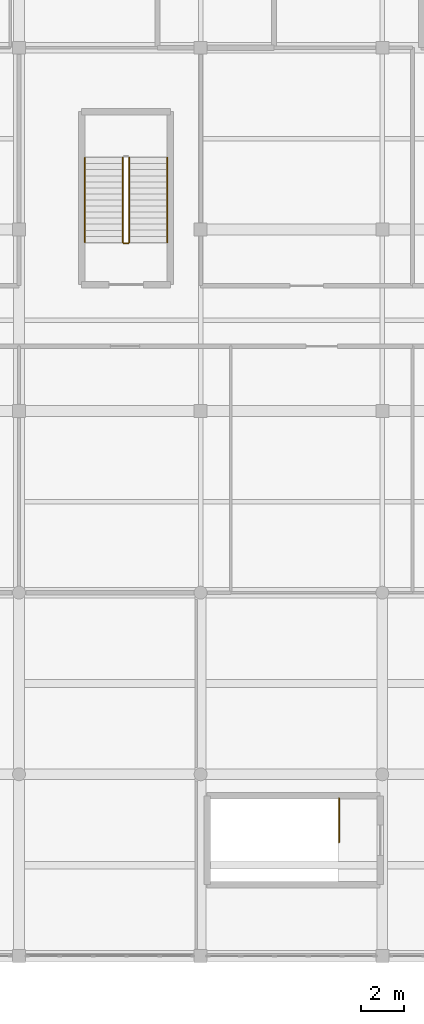
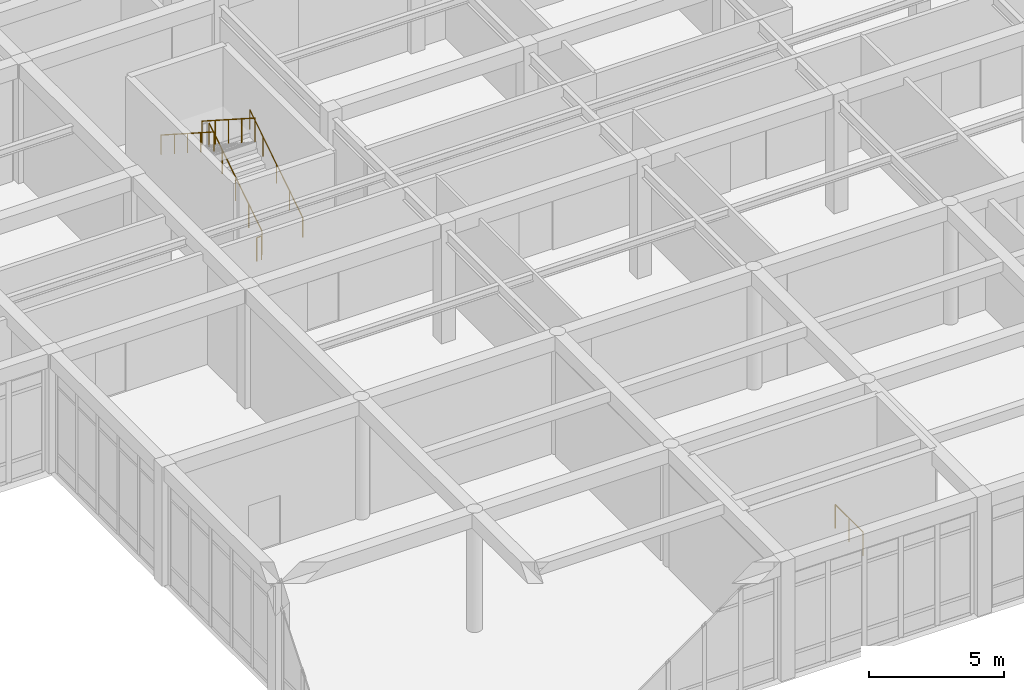
# One storey, part 79 of 89: 6 railings.
"""IFC4 building model written with IfcOpenShell, lengths in metres."""

from ifc_helpers import new_model, si_unit, direction, frame, origin, origin_2d, place, context, subcontext, project, spatial, circle, extrude, material, type_object, element, save


model = new_model("IFC4")

# Units and contexts
model_context = context("Model", 3, precision=1e-05, world=origin(), true_north=direction((0.0, 1.0)))
body_context = subcontext(model_context, "Body", "Model", "MODEL_VIEW")
ifc_project = project(units=[si_unit("LENGTHUNIT", "METRE"), si_unit("AREAUNIT", "SQUARE_METRE"), si_unit("VOLUMEUNIT", "CUBIC_METRE"), si_unit("PLANEANGLEUNIT", "RADIAN"), si_unit("MASSUNIT", "GRAM", prefix="KILO")], contexts=[model_context])

# Site, building, storey
site_placement = place(None, origin())
site = spatial("IfcSite", under=ifc_project, at=site_placement, CompositionType="ELEMENT")
building_placement = place(site_placement, origin())
building = spatial("IfcBuilding", under=site, at=building_placement, Name="Varncliffe General Hospital", CompositionType="ELEMENT")
storey_placement = place(building_placement, frame((0.0, 0.0, 10.800048828125)))
storey = spatial("IfcBuildingStorey", under=building, at=storey_placement, Name="L02", CompositionType="ELEMENT", Elevation=10.800048828125)

# Railings
ifc_material = material(Name="Powder-coated hospital steel guardrail and handrail", Category="steel")
railing_type_1 = type_object("IfcRailingType", Name="Stair and Ramp Handrail HR46", PredefinedType="HANDRAIL", material=ifc_material)
railing_1_placement = place(storey_placement, frame((74.050048828125, 90.60009765625, 0.364013671875)))
element("IfcRailing", 1, at=railing_1_placement, inside=storey, type_object=railing_type_1, Name="L02 ST12 stair handrail 1", PredefinedType="HANDRAIL", context=body_context, shape_type="SweptSolid", body=[
    extrude(circle(Radius=0.02392578125, at=origin_2d()), frame((0.0, 0.0, 0.8759765625), z_axis=(0.0, 0.841171666519, 0.540768182723), x_axis=(-1.0, 0.0, 0.0)), (0.0, 0.0, 1.0), 4.66015625),
    extrude(circle(Radius=0.02099609375, at=origin_2d()), origin(), (0.0, 0.0, 1.0), 0.851806640625),
    extrude(circle(Radius=0.02099609375, at=origin_2d()), frame((0.0, 0.97998046875, 0.6298828125)), (0.0, 0.0, 1.0), 0.851806640625),
    extrude(circle(Radius=0.02099609375, at=origin_2d()), frame((0.0, 1.9599609375, 1.260009765625)), (0.0, 0.0, 1.0), 0.851806640625),
    extrude(circle(Radius=0.02099609375, at=origin_2d()), frame((0.0, 2.93994140625, 1.89013671875)), (0.0, 0.0, 1.0), 0.851806640625),
    extrude(circle(Radius=0.02099609375, at=origin_2d()), frame((0.0, 3.919921875, 2.52001953125)), (0.0, 0.0, 1.0), 0.851806640625),
])
railing_2_placement = place(storey_placement, frame((70.25, 94.52001953125, 3.06396484375)))
element("IfcRailing", 2, at=railing_2_placement, inside=storey, type_object=railing_type_1, Name="L02 ST12 stair handrail 2", PredefinedType="HANDRAIL", context=body_context, shape_type="SweptSolid", body=[
    extrude(circle(Radius=0.02392578125, at=origin_2d()), frame((0.0, 0.0, 0.8759765625), z_axis=(0.0, -0.841171666519, 0.540768182723), x_axis=(1.0, 0.0, 0.0)), (0.0, 0.0, 1.0), 4.66015625),
    extrude(circle(Radius=0.02099609375, at=origin_2d()), origin(), (0.0, 0.0, 1.0), 0.851806640625),
    extrude(circle(Radius=0.02099609375, at=origin_2d()), frame((0.0, -0.97998046875, 0.6298828125)), (0.0, 0.0, 1.0), 0.851806640625),
    extrude(circle(Radius=0.02099609375, at=origin_2d()), frame((0.0, -1.9599609375, 1.260009765625)), (0.0, 0.0, 1.0), 0.851806640625),
    extrude(circle(Radius=0.02099609375, at=origin_2d()), frame((0.0, -2.93994140625, 1.89013671875)), (0.0, 0.0, 1.0), 0.851806640625),
    extrude(circle(Radius=0.02099609375, at=origin_2d()), frame((0.0, -3.919921875, 2.52001953125)), (0.0, 0.0, 1.0), 0.851806640625),
])
railing_type_2 = type_object("IfcRailingType", Name="Stairwell Guardrail SG49", PredefinedType="GUARDRAIL", material=ifc_material)
railing_3_placement = place(storey_placement, frame((72.300048828125, 90.60009765625, 0.179931640625)))
element("IfcRailing", 3, at=railing_3_placement, inside=storey, type_object=railing_type_2, Name="L02 ST12 stair guard 1", PredefinedType="GUARDRAIL", context=body_context, shape_type="SweptSolid", body=[
    extrude(circle(Radius=0.02392578125, at=origin_2d()), frame((0.0, 0.0, 1.076171875), z_axis=(0.0, 0.841171666519, 0.540768182723), x_axis=(-1.0, 0.0, 0.0)), (0.0, 0.0, 1.0), 4.66015625),
    extrude(circle(Radius=0.02099609375, at=origin_2d()), origin(), (0.0, 0.0, 1.0), 1.052001953125),
    extrude(circle(Radius=0.02099609375, at=origin_2d()), frame((0.0, 0.97998046875, 0.6298828125)), (0.0, 0.0, 1.0), 1.052001953125),
    extrude(circle(Radius=0.02099609375, at=origin_2d()), frame((0.0, 1.9599609375, 1.260009765625)), (0.0, 0.0, 1.0), 1.052001953125),
    extrude(circle(Radius=0.02099609375, at=origin_2d()), frame((0.0, 2.93994140625, 1.89013671875)), (0.0, 0.0, 1.0), 1.052001953125),
    extrude(circle(Radius=0.02099609375, at=origin_2d()), frame((0.0, 3.919921875, 2.52001953125)), (0.0, 0.0, 1.0), 1.052001953125),
])
railing_4_placement = place(storey_placement, frame((72.0, 94.52001953125, 2.8798828125)))
element("IfcRailing", 4, at=railing_4_placement, inside=storey, type_object=railing_type_2, Name="L02 ST12 stair guard 3", PredefinedType="GUARDRAIL", context=body_context, shape_type="SweptSolid", body=[
    extrude(circle(Radius=0.02392578125, at=origin_2d()), frame((0.0, 0.0, 1.076171875), z_axis=(0.0, -0.841171666519, 0.540768182723), x_axis=(1.0, 0.0, 0.0)), (0.0, 0.0, 1.0), 4.66015625),
    extrude(circle(Radius=0.02099609375, at=origin_2d()), origin(), (0.0, 0.0, 1.0), 1.052001953125),
    extrude(circle(Radius=0.02099609375, at=origin_2d()), frame((0.0, -0.97998046875, 0.6298828125)), (0.0, 0.0, 1.0), 1.052001953125),
    extrude(circle(Radius=0.02099609375, at=origin_2d()), frame((0.0, -1.9599609375, 1.260009765625)), (0.0, 0.0, 1.0), 1.052001953125),
    extrude(circle(Radius=0.02099609375, at=origin_2d()), frame((0.0, -2.93994140625, 1.89013671875)), (0.0, 0.0, 1.0), 1.052001953125),
    extrude(circle(Radius=0.02099609375, at=origin_2d()), frame((0.0, -3.919921875, 2.52001953125)), (0.0, 0.0, 1.0), 1.052001953125),
])
railing_5_placement = place(storey_placement, frame((72.25, 90.550048828125, 0.0)))
element("IfcRailing", 5, at=railing_5_placement, inside=storey, type_object=railing_type_2, Name="L02 ST12 stair guard 4", PredefinedType="GUARDRAIL", context=body_context, shape_type="SweptSolid", body=[
    extrude(circle(Radius=0.02392578125, at=origin_2d()), frame((0.0, 0.0, 1.076171875), z_axis=(-1.0, 0.0, 0.0), x_axis=(0.0, -1.0, 0.0)), (0.0, 0.0, 1.0), 0.199951171875),
    extrude(circle(Radius=0.02099609375, at=origin_2d()), origin(), (0.0, 0.0, 1.0), 1.052001953125),
    extrude(circle(Radius=0.02099609375, at=origin_2d()), frame((-0.199951171875, 0.0, 0.0)), (0.0, 0.0, 1.0), 1.052001953125),
])
railing_6_placement = place(storey_placement, frame((82.0, 64.89990234375, 0.0)))
element("IfcRailing", 6, at=railing_6_placement, inside=storey, type_object=railing_type_2, Name="L02 ST16 top well guard 1", PredefinedType="GUARDRAIL", context=body_context, shape_type="SweptSolid", body=[
    extrude(circle(Radius=0.02392578125, at=origin_2d()), frame((0.0, 0.0, 1.076171875), z_axis=(0.0, -1.0, 0.0), x_axis=(1.0, 0.0, 0.0)), (0.0, 0.0, 1.0), 2.0498046875),
    extrude(circle(Radius=0.02099609375, at=origin_2d()), origin(), (0.0, 0.0, 1.0), 1.052001953125),
    extrude(circle(Radius=0.02099609375, at=origin_2d()), frame((0.0, -1.02490234375, 0.0)), (0.0, 0.0, 1.0), 1.052001953125),
    extrude(circle(Radius=0.02099609375, at=origin_2d()), frame((0.0, -2.0498046875, 0.0)), (0.0, 0.0, 1.0), 1.052001953125),
])

save(model, "model.ifc")
